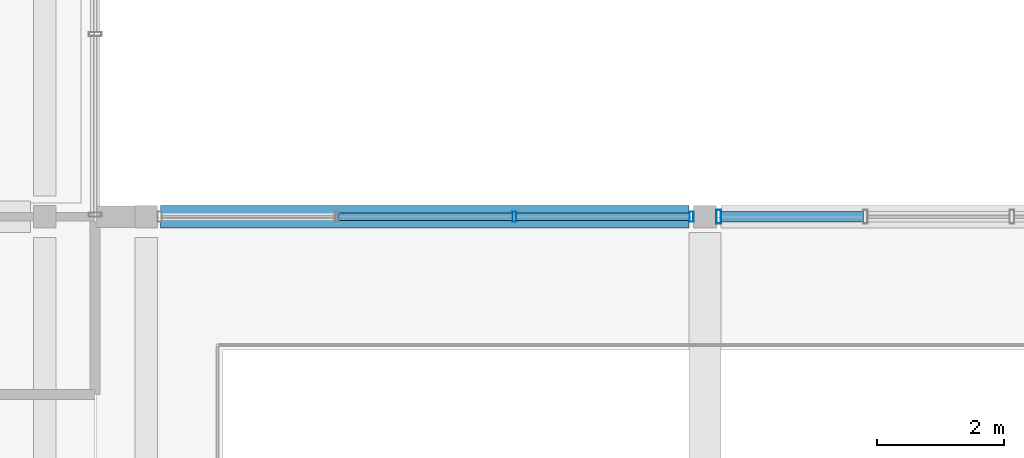
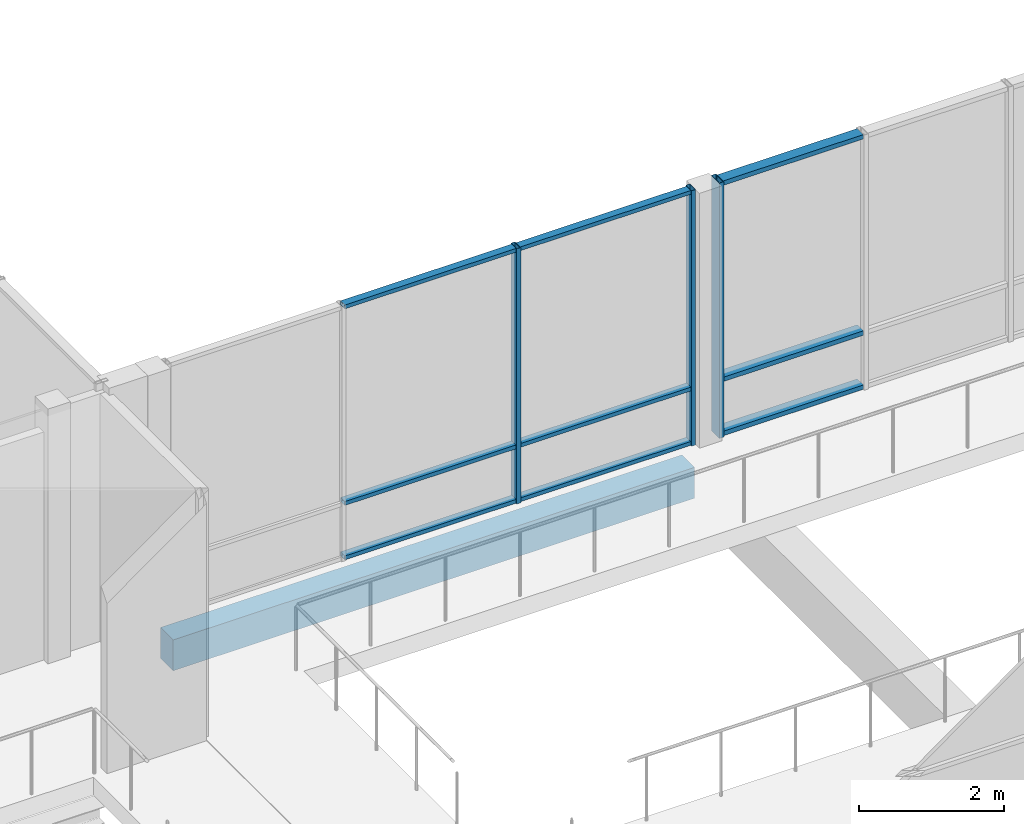
# One storey, part 75 of 146: 12 members, 1 beam, 2 elements without a shape of their own.
"""IFC4 building model written with IfcOpenShell, lengths in metres."""

from ifc_helpers import new_model, si_unit, direction, frame, origin, origin_2d, place, context, subcontext, project, spatial, rectangle, hollow_rectangle, extrude, material, material_profile, profile_set, type_object, element, aggregate, save


model = new_model("IFC4")

# Units and contexts
model_context = context("Model", 3, precision=1e-05, world=origin(), true_north=direction((0.0, 1.0)))
body_context = subcontext(model_context, "Body", "Model", "MODEL_VIEW")
ifc_project = project(units=[si_unit("LENGTHUNIT", "METRE"), si_unit("AREAUNIT", "SQUARE_METRE"), si_unit("VOLUMEUNIT", "CUBIC_METRE"), si_unit("PLANEANGLEUNIT", "RADIAN"), si_unit("MASSUNIT", "GRAM", prefix="KILO")], contexts=[model_context])

# Site, building, storey
site_placement = place(None, origin())
site = spatial("IfcSite", under=ifc_project, at=site_placement, CompositionType="ELEMENT")
building_placement = place(site_placement, origin())
building = spatial("IfcBuilding", under=site, at=building_placement, Name="Hawrajan Terrace Health Centre", CompositionType="ELEMENT")
storey_placement = place(building_placement, frame((0.0, 0.0, 4.5)))
storey = spatial("IfcBuildingStorey", under=building, at=storey_placement, Name="L01", CompositionType="ELEMENT", Elevation=4.5)

# Curtain wall, members
ifc_material_1 = material(Name="Anodized bronze aluminium and low-E solar glazing", Category="aluminium")
curtain_wall_type_1 = type_object("IfcCurtainWallType", Name="CW_Clerestory_SeriesG3", PredefinedType="USERDEFINED", material=ifc_material_1)
curtain_wall_1_placement = place(storey_placement, origin())
curtain_wall_1 = element("IfcCurtainWall", 1, at=curtain_wall_1_placement, inside=storey, type_object=curtain_wall_type_1, Name="Curtain wall CW-L01-090", ObjectType="UNITISED CURTAIN WALL", PredefinedType="USERDEFINED")
ifc_material_2 = material(Name="Anodized bronze aluminium 6063-T6", Category="aluminium")
ifc_material_profile_1 = material_profile(ifc_material_2, hollow_rectangle(XDim=0.06494140625, YDim=0.159912109375, WallThickness=0.00390625, at=origin_2d()), Name="CW MUL 65x160")
ifc_profile_set_1 = profile_set([ifc_material_profile_1], Name="Anodized bronze aluminium 6063-T6")
member_type_1 = type_object("IfcMemberType", Name="CWMullion_65x160", PredefinedType="MULLION", material=ifc_profile_set_1)
member_1_placement = place(storey_placement, frame((78.395751953125, 36.800048828125, -0.0048828125), z_axis=(0.0, 0.0, 1.0), x_axis=(1.0, 0.0, 0.0)))
member_1 = element("IfcMember", 2, at=member_1_placement, type_object=member_type_1, Name="Mullion CW-L01-090-M3", PredefinedType="MULLION", context=body_context, shape_type="SweptSolid", body=[
    extrude(hollow_rectangle(XDim=0.06494140625, YDim=0.159912109375, WallThickness=0.00390625, at=origin_2d()), origin(), (0.0, 0.0, 1.0), 4.309814453125),
])
member_2_placement = place(storey_placement, frame((81.1875, 36.800048828125, -0.0048828125), z_axis=(0.0, 0.0, 1.0), x_axis=(1.0, 0.0, 0.0)))
member_2 = element("IfcMember", 3, at=member_2_placement, type_object=member_type_1, Name="Mullion CW-L01-090-M4", PredefinedType="MULLION", context=body_context, shape_type="SweptSolid", body=[
    extrude(hollow_rectangle(XDim=0.06494140625, YDim=0.159912109375, WallThickness=0.00390625, at=origin_2d()), origin(), (0.0, 0.0, 1.0), 4.309814453125),
])

# Curtain wall, member
curtain_wall_type_2 = type_object("IfcCurtainWallType", Name="CW_Diagnostic_SeriesM1", PredefinedType="USERDEFINED", material=ifc_material_1)
curtain_wall_2_placement = place(storey_placement, origin())
curtain_wall_2 = element("IfcCurtainWall", 4, at=curtain_wall_2_placement, inside=storey, type_object=curtain_wall_type_2, Name="Curtain wall CW-L01-095", ObjectType="UNITISED CURTAIN WALL", PredefinedType="USERDEFINED")
ifc_material_profile_2 = material_profile(ifc_material_2, hollow_rectangle(XDim=0.074951171875, YDim=0.219970703125, WallThickness=0.0048828125, at=origin_2d()), Name="CW MUL 75x220")
ifc_profile_set_2 = profile_set([ifc_material_profile_2], Name="Anodized bronze aluminium 6063-T6")
member_type_2 = type_object("IfcMemberType", Name="CWMullion_75x220", PredefinedType="MULLION", material=ifc_profile_set_2)
member_3_placement = place(storey_placement, frame((81.617431640625, 36.800048828125, -0.0048828125), z_axis=(0.0, 0.0, 1.0), x_axis=(1.0, 0.0, 0.0)))
member_3 = element("IfcMember", 5, at=member_3_placement, type_object=member_type_2, Name="Mullion CW-L01-095-M1", PredefinedType="MULLION", context=body_context, shape_type="SweptSolid", body=[
    extrude(hollow_rectangle(XDim=0.074951171875, YDim=0.219970703125, WallThickness=0.0048828125, at=origin_2d()), origin(), (0.0, 0.0, 1.0), 4.309814453125),
])

# Member
ifc_material_profile_3 = material_profile(ifc_material_2, hollow_rectangle(XDim=0.06494140625, YDim=0.1201171875, WallThickness=0.00341796875, at=origin_2d()), Name="CW TRN 65x120")
ifc_profile_set_3 = profile_set([ifc_material_profile_3], Name="Anodized bronze aluminium 6063-T6")
member_type_3 = type_object("IfcMemberType", Name="CWTransom_65x120", PredefinedType="USERDEFINED", material=ifc_profile_set_3)
member_4_placement = place(storey_placement, frame((75.630615234375, 36.800048828125, 0.032470703125), z_axis=(1.0, 0.0, 0.0), x_axis=(0.0, 0.0, 1.0)))
member_4 = element("IfcMember", 6, at=member_4_placement, type_object=member_type_3, Name="Transom CW-L01-090-T2-1", ObjectType="TRANSOM", PredefinedType="USERDEFINED", context=body_context, shape_type="SweptSolid", body=[
    extrude(hollow_rectangle(XDim=0.06494140625, YDim=0.1201171875, WallThickness=0.00341796875, at=origin_2d()), origin(), (0.0, 0.0, 1.0), 2.73876953125),
])

member_5_placement = place(storey_placement, frame((75.630615234375, 36.800048828125, 0.949951171875), z_axis=(1.0, 0.0, 0.0), x_axis=(0.0, 0.0, 1.0)))
member_5 = element("IfcMember", 7, at=member_5_placement, type_object=member_type_3, Name="Transom CW-L01-090-T2-2", ObjectType="TRANSOM", PredefinedType="USERDEFINED", context=body_context, shape_type="SweptSolid", body=[
    extrude(hollow_rectangle(XDim=0.06494140625, YDim=0.1201171875, WallThickness=0.00341796875, at=origin_2d()), origin(), (0.0, 0.0, 1.0), 2.73876953125),
])

member_6_placement = place(storey_placement, frame((75.630615234375, 36.800048828125, 4.267578125), z_axis=(1.0, 0.0, 0.0), x_axis=(0.0, 0.0, 1.0)))
member_6 = element("IfcMember", 8, at=member_6_placement, type_object=member_type_3, Name="Transom CW-L01-090-T2-3", ObjectType="TRANSOM", PredefinedType="USERDEFINED", context=body_context, shape_type="SweptSolid", body=[
    extrude(hollow_rectangle(XDim=0.06494140625, YDim=0.1201171875, WallThickness=0.00341796875, at=origin_2d()), origin(), (0.0, 0.0, 1.0), 2.73876953125),
])

member_7_placement = place(storey_placement, frame((78.42236328125, 36.800048828125, 0.032470703125), z_axis=(1.0, 0.0, 0.0), x_axis=(0.0, 0.0, 1.0)))
member_7 = element("IfcMember", 9, at=member_7_placement, type_object=member_type_3, Name="Transom CW-L01-090-T3-1", ObjectType="TRANSOM", PredefinedType="USERDEFINED", context=body_context, shape_type="SweptSolid", body=[
    extrude(hollow_rectangle(XDim=0.06494140625, YDim=0.1201171875, WallThickness=0.00341796875, at=origin_2d()), origin(), (0.0, 0.0, 1.0), 2.738525390625),
])

member_8_placement = place(storey_placement, frame((78.42236328125, 36.800048828125, 0.949951171875), z_axis=(1.0, 0.0, 0.0), x_axis=(0.0, 0.0, 1.0)))
member_8 = element("IfcMember", 10, at=member_8_placement, type_object=member_type_3, Name="Transom CW-L01-090-T3-2", ObjectType="TRANSOM", PredefinedType="USERDEFINED", context=body_context, shape_type="SweptSolid", body=[
    extrude(hollow_rectangle(XDim=0.06494140625, YDim=0.1201171875, WallThickness=0.00341796875, at=origin_2d()), origin(), (0.0, 0.0, 1.0), 2.738525390625),
])

member_9_placement = place(storey_placement, frame((78.42236328125, 36.800048828125, 4.267578125), z_axis=(1.0, 0.0, 0.0), x_axis=(0.0, 0.0, 1.0)))
member_9 = element("IfcMember", 11, at=member_9_placement, type_object=member_type_3, Name="Transom CW-L01-090-T3-3", ObjectType="TRANSOM", PredefinedType="USERDEFINED", context=body_context, shape_type="SweptSolid", body=[
    extrude(hollow_rectangle(XDim=0.06494140625, YDim=0.1201171875, WallThickness=0.00341796875, at=origin_2d()), origin(), (0.0, 0.0, 1.0), 2.738525390625),
])

aggregate(curtain_wall_1, [member_1, member_2, member_4, member_5, member_6, member_7, member_8, member_9])

ifc_material_profile_4 = material_profile(ifc_material_2, hollow_rectangle(XDim=0.074951171875, YDim=0.169921875, WallThickness=0.00439453125, at=origin_2d()), Name="CW TRN 75x170")
ifc_profile_set_4 = profile_set([ifc_material_profile_4], Name="Anodized bronze aluminium 6063-T6")
member_type_4 = type_object("IfcMemberType", Name="CWTransom_75x170", PredefinedType="USERDEFINED", material=ifc_profile_set_4)
member_10_placement = place(storey_placement, frame((81.64892578125, 36.800048828125, 0.03759765625), z_axis=(1.0, 0.0, 0.0), x_axis=(0.0, 0.0, 1.0)))
member_10 = element("IfcMember", 12, at=member_10_placement, type_object=member_type_4, Name="Transom CW-L01-095-T1-1", ObjectType="TRANSOM", PredefinedType="USERDEFINED", context=body_context, shape_type="SweptSolid", body=[
    extrude(hollow_rectangle(XDim=0.074951171875, YDim=0.169921875, WallThickness=0.00439453125, at=origin_2d()), origin(), (0.0, 0.0, 1.0), 2.24609375),
])

member_11_placement = place(storey_placement, frame((81.64892578125, 36.800048828125, 0.949951171875), z_axis=(1.0, 0.0, 0.0), x_axis=(0.0, 0.0, 1.0)))
member_11 = element("IfcMember", 13, at=member_11_placement, type_object=member_type_4, Name="Transom CW-L01-095-T1-2", ObjectType="TRANSOM", PredefinedType="USERDEFINED", context=body_context, shape_type="SweptSolid", body=[
    extrude(hollow_rectangle(XDim=0.074951171875, YDim=0.169921875, WallThickness=0.00439453125, at=origin_2d()), origin(), (0.0, 0.0, 1.0), 2.24609375),
])

member_12_placement = place(storey_placement, frame((81.64892578125, 36.800048828125, 4.262451171875), z_axis=(1.0, 0.0, 0.0), x_axis=(0.0, 0.0, 1.0)))
member_12 = element("IfcMember", 14, at=member_12_placement, type_object=member_type_4, Name="Transom CW-L01-095-T1-3", ObjectType="TRANSOM", PredefinedType="USERDEFINED", context=body_context, shape_type="SweptSolid", body=[
    extrude(hollow_rectangle(XDim=0.074951171875, YDim=0.169921875, WallThickness=0.00439453125, at=origin_2d()), origin(), (0.0, 0.0, 1.0), 2.24609375),
])

aggregate(curtain_wall_2, [member_3, member_10, member_11, member_12])

# Beam
ifc_material_3 = material(Name="Concrete C40/50", Category="concrete")
ifc_material_profile_5 = material_profile(ifc_material_3, rectangle(XDim=0.35009765625, YDim=0.52001953125, at=origin_2d()), Name="RC SP 350x520")
ifc_profile_set_5 = profile_set([ifc_material_profile_5], Name="Concrete C40/50")
beam_type = type_object("IfcBeamType", Name="RCSpandrel_350x520", PredefinedType="SPANDREL", material=ifc_profile_set_5)
beam_placement = place(storey_placement, frame((72.824951171875, 36.800048828125, -0.56005859375), z_axis=(1.0, 0.0, 0.0), x_axis=(0.0, 1.0, 0.0)))
element("IfcBeam", 15, at=beam_placement, inside=storey, type_object=beam_type, Name="Beam BM-X-L01-C-10-Y5", PredefinedType="SPANDREL", context=body_context, shape_type="SweptSolid", body=[
    extrude(rectangle(XDim=0.35009765625, YDim=0.52001953125, at=origin_2d()), origin(), (0.0, 0.0, 1.0), 8.324951171875),
])

save(model, "model.ifc")
